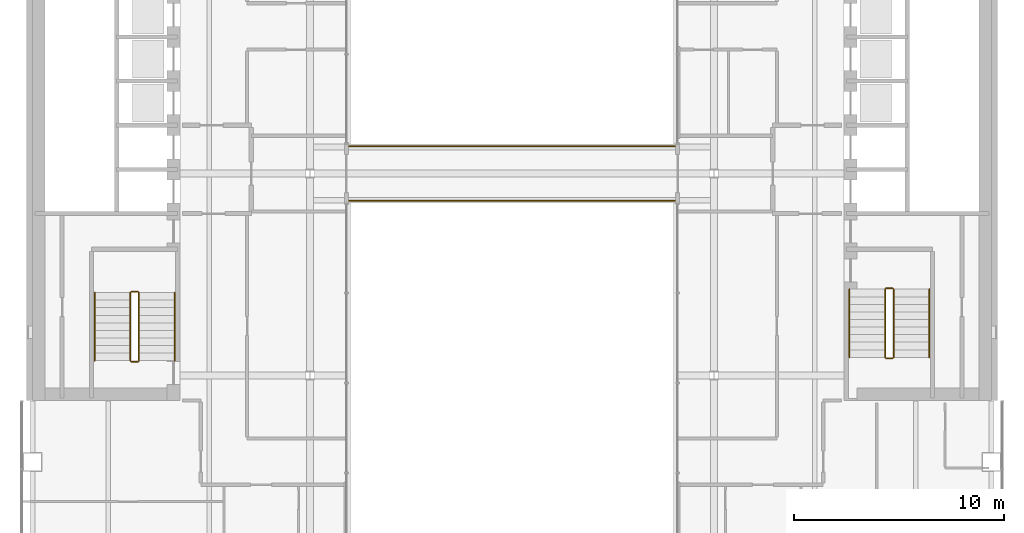
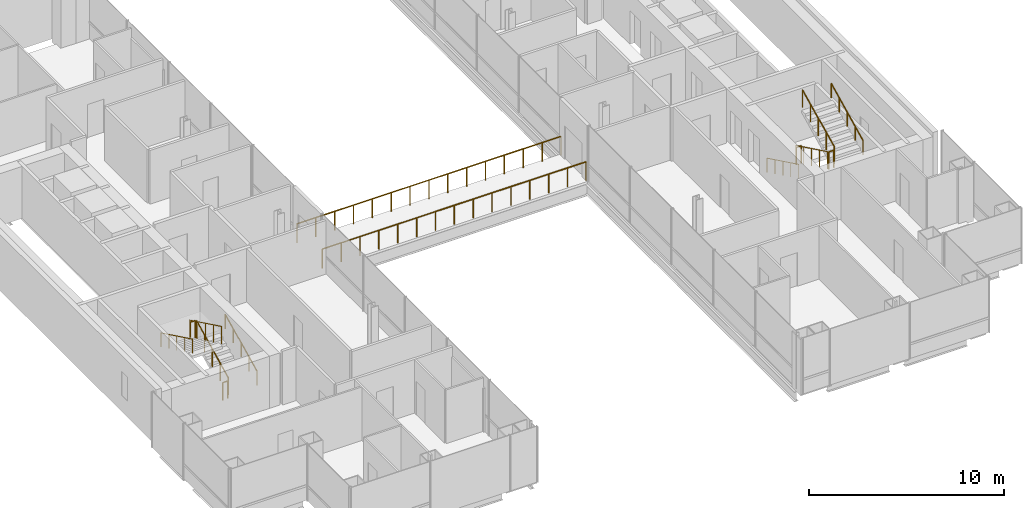
# One storey, part 15 of 16: 14 railings.
"""IFC4 building model written with IfcOpenShell, lengths in metres."""

from ifc_helpers import new_model, si_unit, direction, frame, origin, origin_2d, place, context, subcontext, project, spatial, circle, extrude, material, type_object, element, save


model = new_model("IFC4")

# Units and contexts
model_context = context("Model", 3, precision=1e-05, world=origin(), true_north=direction((0.0, 1.0)))
body_context = subcontext(model_context, "Body", "Model", "MODEL_VIEW")
ifc_project = project(units=[si_unit("LENGTHUNIT", "METRE"), si_unit("AREAUNIT", "SQUARE_METRE"), si_unit("VOLUMEUNIT", "CUBIC_METRE"), si_unit("PLANEANGLEUNIT", "RADIAN"), si_unit("MASSUNIT", "GRAM", prefix="KILO")], contexts=[model_context])

# Site, building, storey
site_placement = place(None, origin())
site = spatial("IfcSite", under=ifc_project, at=site_placement, CompositionType="ELEMENT")
building_placement = place(site_placement, origin())
building = spatial("IfcBuilding", under=site, at=building_placement, Name="Cobrizo Arcos Hotel Tower", CompositionType="ELEMENT")
storey_placement = place(building_placement, frame((0.0, 0.0, 127.5)))
storey = spatial("IfcBuildingStorey", under=building, at=storey_placement, Name="L32", CompositionType="ELEMENT", Elevation=127.5)

# Railings
ifc_material = material(Name="Stainless steel railing", Category="steel")
railing_type_1 = type_object("IfcRailingType", Name="Sky bridge guard 1200", PredefinedType="GUARDRAIL", material=ifc_material)
railing_1_placement = place(storey_placement, frame((-7.800048828125, 1.300048828125, 0.0)))
element("IfcRailing", 1, at=railing_1_placement, inside=storey, type_object=railing_type_1, Name="Sky bridge north guard", PredefinedType="GUARDRAIL", context=body_context, shape_type="SweptSolid", body=[
    extrude(circle(Radius=0.02392578125, at=origin_2d()), frame((0.0, 0.0, 1.17578125), z_axis=(1.0, 0.0, 0.0), x_axis=(0.0, 1.0, 0.0)), (0.0, 0.0, 1.0), 15.60009765625),
    extrude(circle(Radius=0.02099609375, at=origin_2d()), origin(), (0.0, 0.0, 1.0), 1.15185546875),
    extrude(circle(Radius=0.02099609375, at=origin_2d()), frame((1.1142578125, 0.0, 0.0)), (0.0, 0.0, 1.0), 1.15185546875),
    extrude(circle(Radius=0.02099609375, at=origin_2d()), frame((2.228515625, 0.0, 0.0)), (0.0, 0.0, 1.0), 1.15185546875),
    extrude(circle(Radius=0.02099609375, at=origin_2d()), frame((3.3427734375, 0.0, 0.0)), (0.0, 0.0, 1.0), 1.15185546875),
    extrude(circle(Radius=0.02099609375, at=origin_2d()), frame((4.457275390625, 0.0, 0.0)), (0.0, 0.0, 1.0), 1.15185546875),
    extrude(circle(Radius=0.02099609375, at=origin_2d()), frame((5.571533203125, 0.0, 0.0)), (0.0, 0.0, 1.0), 1.15185546875),
    extrude(circle(Radius=0.02099609375, at=origin_2d()), frame((6.685791015625, 0.0, 0.0)), (0.0, 0.0, 1.0), 1.15185546875),
    extrude(circle(Radius=0.02099609375, at=origin_2d()), frame((7.800048828125, 0.0, 0.0)), (0.0, 0.0, 1.0), 1.15185546875),
    extrude(circle(Radius=0.02099609375, at=origin_2d()), frame((8.914306640625, 0.0, 0.0)), (0.0, 0.0, 1.0), 1.15185546875),
    extrude(circle(Radius=0.02099609375, at=origin_2d()), frame((10.028564453125, 0.0, 0.0)), (0.0, 0.0, 1.0), 1.15185546875),
    extrude(circle(Radius=0.02099609375, at=origin_2d()), frame((11.142822265625, 0.0, 0.0)), (0.0, 0.0, 1.0), 1.15185546875),
    extrude(circle(Radius=0.02099609375, at=origin_2d()), frame((12.25732421875, 0.0, 0.0)), (0.0, 0.0, 1.0), 1.15185546875),
    extrude(circle(Radius=0.02099609375, at=origin_2d()), frame((13.37158203125, 0.0, 0.0)), (0.0, 0.0, 1.0), 1.15185546875),
    extrude(circle(Radius=0.02099609375, at=origin_2d()), frame((14.48583984375, 0.0, 0.0)), (0.0, 0.0, 1.0), 1.15185546875),
    extrude(circle(Radius=0.02099609375, at=origin_2d()), frame((15.60009765625, 0.0, 0.0)), (0.0, 0.0, 1.0), 1.15185546875),
])
railing_2_placement = place(storey_placement, frame((-7.800048828125, -1.300048828125, 0.0)))
element("IfcRailing", 2, at=railing_2_placement, inside=storey, type_object=railing_type_1, Name="Sky bridge south guard", PredefinedType="GUARDRAIL", context=body_context, shape_type="SweptSolid", body=[
    extrude(circle(Radius=0.02392578125, at=origin_2d()), frame((0.0, 0.0, 1.17578125), z_axis=(1.0, 0.0, 0.0), x_axis=(0.0, 1.0, 0.0)), (0.0, 0.0, 1.0), 15.60009765625),
    extrude(circle(Radius=0.02099609375, at=origin_2d()), origin(), (0.0, 0.0, 1.0), 1.15185546875),
    extrude(circle(Radius=0.02099609375, at=origin_2d()), frame((1.1142578125, 0.0, 0.0)), (0.0, 0.0, 1.0), 1.15185546875),
    extrude(circle(Radius=0.02099609375, at=origin_2d()), frame((2.228515625, 0.0, 0.0)), (0.0, 0.0, 1.0), 1.15185546875),
    extrude(circle(Radius=0.02099609375, at=origin_2d()), frame((3.3427734375, 0.0, 0.0)), (0.0, 0.0, 1.0), 1.15185546875),
    extrude(circle(Radius=0.02099609375, at=origin_2d()), frame((4.457275390625, 0.0, 0.0)), (0.0, 0.0, 1.0), 1.15185546875),
    extrude(circle(Radius=0.02099609375, at=origin_2d()), frame((5.571533203125, 0.0, 0.0)), (0.0, 0.0, 1.0), 1.15185546875),
    extrude(circle(Radius=0.02099609375, at=origin_2d()), frame((6.685791015625, 0.0, 0.0)), (0.0, 0.0, 1.0), 1.15185546875),
    extrude(circle(Radius=0.02099609375, at=origin_2d()), frame((7.800048828125, 0.0, 0.0)), (0.0, 0.0, 1.0), 1.15185546875),
    extrude(circle(Radius=0.02099609375, at=origin_2d()), frame((8.914306640625, 0.0, 0.0)), (0.0, 0.0, 1.0), 1.15185546875),
    extrude(circle(Radius=0.02099609375, at=origin_2d()), frame((10.028564453125, 0.0, 0.0)), (0.0, 0.0, 1.0), 1.15185546875),
    extrude(circle(Radius=0.02099609375, at=origin_2d()), frame((11.142822265625, 0.0, 0.0)), (0.0, 0.0, 1.0), 1.15185546875),
    extrude(circle(Radius=0.02099609375, at=origin_2d()), frame((12.25732421875, 0.0, 0.0)), (0.0, 0.0, 1.0), 1.15185546875),
    extrude(circle(Radius=0.02099609375, at=origin_2d()), frame((13.37158203125, 0.0, 0.0)), (0.0, 0.0, 1.0), 1.15185546875),
    extrude(circle(Radius=0.02099609375, at=origin_2d()), frame((14.48583984375, 0.0, 0.0)), (0.0, 0.0, 1.0), 1.15185546875),
    extrude(circle(Radius=0.02099609375, at=origin_2d()), frame((15.60009765625, 0.0, 0.0)), (0.0, 0.0, 1.0), 1.15185546875),
])
railing_type_2 = type_object("IfcRailingType", Name="Stair guard 1100", PredefinedType="GUARDRAIL", material=ifc_material)
railing_3_placement = place(storey_placement, frame((-17.75, -8.89990234375, 0.175048828125)))
element("IfcRailing", 3, at=railing_3_placement, inside=storey, type_object=railing_type_2, Name="L32 ST-W stair guard 1", PredefinedType="GUARDRAIL", context=body_context, shape_type="SweptSolid", body=[
    extrude(circle(Radius=0.02392578125, at=origin_2d()), frame((0.0, 0.0, 1.076171875), z_axis=(0.0, 0.899372665325, 0.437182809435), x_axis=(-1.0, 0.0, 0.0)), (0.0, 0.0, 1.0), 3.6025390625),
    extrude(circle(Radius=0.02099609375, at=origin_2d()), origin(), (0.0, 0.0, 1.0), 1.052001953125),
    extrude(circle(Radius=0.02099609375, at=origin_2d()), frame((0.0, 0.81005859375, 0.393798828125)), (0.0, 0.0, 1.0), 1.052001953125),
    extrude(circle(Radius=0.02099609375, at=origin_2d()), frame((0.0, 1.6201171875, 0.78759765625)), (0.0, 0.0, 1.0), 1.052001953125),
    extrude(circle(Radius=0.02099609375, at=origin_2d()), frame((0.0, 2.429931640625, 1.18115234375)), (0.0, 0.0, 1.0), 1.052001953125),
    extrude(circle(Radius=0.02099609375, at=origin_2d()), frame((0.0, 3.239990234375, 1.574951171875)), (0.0, 0.0, 1.0), 1.052001953125),
])
railing_4_placement = place(storey_placement, frame((-17.800048828125, -5.610107421875, 1.75)))
element("IfcRailing", 4, at=railing_4_placement, inside=storey, type_object=railing_type_2, Name="L32 ST-W stair guard 2", PredefinedType="GUARDRAIL", context=body_context, shape_type="SweptSolid", body=[
    extrude(circle(Radius=0.02392578125, at=origin_2d()), frame((0.0, 0.0, 1.076171875), z_axis=(-1.0, 0.0, 0.0), x_axis=(0.0, -1.0, 0.0)), (0.0, 0.0, 1.0), 0.300048828125),
    extrude(circle(Radius=0.02099609375, at=origin_2d()), origin(), (0.0, 0.0, 1.0), 1.052001953125),
    extrude(circle(Radius=0.02099609375, at=origin_2d()), frame((-0.300048828125, 0.0, 0.0)), (0.0, 0.0, 1.0), 1.052001953125),
])
railing_5_placement = place(storey_placement, frame((-18.14990234375, -5.659912109375, 1.925048828125)))
element("IfcRailing", 5, at=railing_5_placement, inside=storey, type_object=railing_type_2, Name="L32 ST-W stair guard 3", PredefinedType="GUARDRAIL", context=body_context, shape_type="SweptSolid", body=[
    extrude(circle(Radius=0.02392578125, at=origin_2d()), frame((0.0, 0.0, 1.076171875), z_axis=(0.0, -0.899372665325, 0.437182809435), x_axis=(1.0, 0.0, 0.0)), (0.0, 0.0, 1.0), 3.6025390625),
    extrude(circle(Radius=0.02099609375, at=origin_2d()), origin(), (0.0, 0.0, 1.0), 1.052001953125),
    extrude(circle(Radius=0.02099609375, at=origin_2d()), frame((0.0, -0.81005859375, 0.393798828125)), (0.0, 0.0, 1.0), 1.052001953125),
    extrude(circle(Radius=0.02099609375, at=origin_2d()), frame((0.0, -1.6201171875, 0.78759765625)), (0.0, 0.0, 1.0), 1.052001953125),
    extrude(circle(Radius=0.02099609375, at=origin_2d()), frame((0.0, -2.429931640625, 1.18115234375)), (0.0, 0.0, 1.0), 1.052001953125),
    extrude(circle(Radius=0.02099609375, at=origin_2d()), frame((0.0, -3.239990234375, 1.574951171875)), (0.0, 0.0, 1.0), 1.052001953125),
])
railing_6_placement = place(storey_placement, frame((-17.800048828125, -8.949951171875, 0.0)))
element("IfcRailing", 6, at=railing_6_placement, inside=storey, type_object=railing_type_2, Name="L32 ST-W stair guard 4", PredefinedType="GUARDRAIL", context=body_context, shape_type="SweptSolid", body=[
    extrude(circle(Radius=0.02392578125, at=origin_2d()), frame((0.0, 0.0, 1.076171875), z_axis=(-1.0, 0.0, 0.0), x_axis=(0.0, -1.0, 0.0)), (0.0, 0.0, 1.0), 0.300048828125),
    extrude(circle(Radius=0.02099609375, at=origin_2d()), origin(), (0.0, 0.0, 1.0), 1.052001953125),
    extrude(circle(Radius=0.02099609375, at=origin_2d()), frame((-0.300048828125, 0.0, 0.0)), (0.0, 0.0, 1.0), 1.052001953125),
])
railing_7_placement = place(storey_placement, frame((17.75, -5.5, 0.175048828125)))
element("IfcRailing", 7, at=railing_7_placement, inside=storey, type_object=railing_type_2, Name="L32 ST-E stair guard 1", PredefinedType="GUARDRAIL", context=body_context, shape_type="SweptSolid", body=[
    extrude(circle(Radius=0.02392578125, at=origin_2d()), frame((0.0, 0.0, 1.076171875), z_axis=(0.0, -0.899372665325, 0.437182809435), x_axis=(1.0, 0.0, 0.0)), (0.0, 0.0, 1.0), 3.6025390625),
    extrude(circle(Radius=0.02099609375, at=origin_2d()), origin(), (0.0, 0.0, 1.0), 1.052001953125),
    extrude(circle(Radius=0.02099609375, at=origin_2d()), frame((0.0, -0.81005859375, 0.393798828125)), (0.0, 0.0, 1.0), 1.052001953125),
    extrude(circle(Radius=0.02099609375, at=origin_2d()), frame((0.0, -1.6201171875, 0.78759765625)), (0.0, 0.0, 1.0), 1.052001953125),
    extrude(circle(Radius=0.02099609375, at=origin_2d()), frame((0.0, -2.429931640625, 1.18115234375)), (0.0, 0.0, 1.0), 1.052001953125),
    extrude(circle(Radius=0.02099609375, at=origin_2d()), frame((0.0, -3.239990234375, 1.574951171875)), (0.0, 0.0, 1.0), 1.052001953125),
])
railing_8_placement = place(storey_placement, frame((17.800048828125, -8.7900390625, 1.75)))
element("IfcRailing", 8, at=railing_8_placement, inside=storey, type_object=railing_type_2, Name="L32 ST-E stair guard 2", PredefinedType="GUARDRAIL", context=body_context, shape_type="SweptSolid", body=[
    extrude(circle(Radius=0.02392578125, at=origin_2d()), frame((0.0, 0.0, 1.076171875), z_axis=(1.0, 0.0, 0.0), x_axis=(0.0, 1.0, 0.0)), (0.0, 0.0, 1.0), 0.300048828125),
    extrude(circle(Radius=0.02099609375, at=origin_2d()), origin(), (0.0, 0.0, 1.0), 1.052001953125),
    extrude(circle(Radius=0.02099609375, at=origin_2d()), frame((0.300048828125, 0.0, 0.0)), (0.0, 0.0, 1.0), 1.052001953125),
])
railing_9_placement = place(storey_placement, frame((18.14990234375, -8.739990234375, 1.925048828125)))
element("IfcRailing", 9, at=railing_9_placement, inside=storey, type_object=railing_type_2, Name="L32 ST-E stair guard 3", PredefinedType="GUARDRAIL", context=body_context, shape_type="SweptSolid", body=[
    extrude(circle(Radius=0.02392578125, at=origin_2d()), frame((0.0, 0.0, 1.076171875), z_axis=(0.0, 0.899372665325, 0.437182809435), x_axis=(-1.0, 0.0, 0.0)), (0.0, 0.0, 1.0), 3.6025390625),
    extrude(circle(Radius=0.02099609375, at=origin_2d()), origin(), (0.0, 0.0, 1.0), 1.052001953125),
    extrude(circle(Radius=0.02099609375, at=origin_2d()), frame((0.0, 0.81005859375, 0.393798828125)), (0.0, 0.0, 1.0), 1.052001953125),
    extrude(circle(Radius=0.02099609375, at=origin_2d()), frame((0.0, 1.6201171875, 0.78759765625)), (0.0, 0.0, 1.0), 1.052001953125),
    extrude(circle(Radius=0.02099609375, at=origin_2d()), frame((0.0, 2.429931640625, 1.18115234375)), (0.0, 0.0, 1.0), 1.052001953125),
    extrude(circle(Radius=0.02099609375, at=origin_2d()), frame((0.0, 3.239990234375, 1.574951171875)), (0.0, 0.0, 1.0), 1.052001953125),
])
railing_10_placement = place(storey_placement, frame((17.800048828125, -5.449951171875, 0.0)))
element("IfcRailing", 10, at=railing_10_placement, inside=storey, type_object=railing_type_2, Name="L32 ST-E stair guard 4", PredefinedType="GUARDRAIL", context=body_context, shape_type="SweptSolid", body=[
    extrude(circle(Radius=0.02392578125, at=origin_2d()), frame((0.0, 0.0, 1.076171875), z_axis=(1.0, 0.0, 0.0), x_axis=(0.0, 1.0, 0.0)), (0.0, 0.0, 1.0), 0.300048828125),
    extrude(circle(Radius=0.02099609375, at=origin_2d()), origin(), (0.0, 0.0, 1.0), 1.052001953125),
    extrude(circle(Radius=0.02099609375, at=origin_2d()), frame((0.300048828125, 0.0, 0.0)), (0.0, 0.0, 1.0), 1.052001953125),
])
railing_type_3 = type_object("IfcRailingType", Name="Stair handrail", PredefinedType="HANDRAIL", material=ifc_material)
railing_11_placement = place(storey_placement, frame((-16.050048828125, -8.89990234375, 0.175048828125)))
element("IfcRailing", 11, at=railing_11_placement, inside=storey, type_object=railing_type_3, Name="L32 ST-W stair handrail 1", PredefinedType="HANDRAIL", context=body_context, shape_type="SweptSolid", body=[
    extrude(circle(Radius=0.02392578125, at=origin_2d()), frame((0.0, 0.0, 0.8759765625), z_axis=(0.0, 0.899372665325, 0.437182809435), x_axis=(-1.0, 0.0, 0.0)), (0.0, 0.0, 1.0), 3.6025390625),
    extrude(circle(Radius=0.02099609375, at=origin_2d()), origin(), (0.0, 0.0, 1.0), 0.851806640625),
    extrude(circle(Radius=0.02099609375, at=origin_2d()), frame((0.0, 0.81005859375, 0.393798828125)), (0.0, 0.0, 1.0), 0.851806640625),
    extrude(circle(Radius=0.02099609375, at=origin_2d()), frame((0.0, 1.6201171875, 0.78759765625)), (0.0, 0.0, 1.0), 0.851806640625),
    extrude(circle(Radius=0.02099609375, at=origin_2d()), frame((0.0, 2.429931640625, 1.18115234375)), (0.0, 0.0, 1.0), 0.851806640625),
    extrude(circle(Radius=0.02099609375, at=origin_2d()), frame((0.0, 3.239990234375, 1.574951171875)), (0.0, 0.0, 1.0), 0.851806640625),
])
for number, where, name in (
    (12, (-19.85009765625, -5.659912109375, 1.925048828125), "L32 ST-W stair handrail 2"),
    (13, (16.050048828125, -5.5, 0.175048828125), "L32 ST-E stair handrail 1"),
):
    element("IfcRailing", number, at=place(storey_placement, frame(where)), inside=storey, type_object=railing_type_3, Name=name, PredefinedType="HANDRAIL", context=body_context, shape_type="SweptSolid", body=[
        extrude(circle(Radius=0.02392578125, at=origin_2d()), frame((0.0, 0.0, 0.8759765625), z_axis=(0.0, -0.899372665325, 0.437182809435), x_axis=(1.0, 0.0, 0.0)), (0.0, 0.0, 1.0), 3.6025390625),
        extrude(circle(Radius=0.02099609375, at=origin_2d()), origin(), (0.0, 0.0, 1.0), 0.851806640625),
        extrude(circle(Radius=0.02099609375, at=origin_2d()), frame((0.0, -0.81005859375, 0.393798828125)), (0.0, 0.0, 1.0), 0.851806640625),
        extrude(circle(Radius=0.02099609375, at=origin_2d()), frame((0.0, -1.6201171875, 0.78759765625)), (0.0, 0.0, 1.0), 0.851806640625),
        extrude(circle(Radius=0.02099609375, at=origin_2d()), frame((0.0, -2.429931640625, 1.18115234375)), (0.0, 0.0, 1.0), 0.851806640625),
        extrude(circle(Radius=0.02099609375, at=origin_2d()), frame((0.0, -3.239990234375, 1.574951171875)), (0.0, 0.0, 1.0), 0.851806640625),
    ])
railing_12_placement = place(storey_placement, frame((19.85009765625, -8.739990234375, 1.925048828125)))
element("IfcRailing", 14, at=railing_12_placement, inside=storey, type_object=railing_type_3, Name="L32 ST-E stair handrail 2", PredefinedType="HANDRAIL", context=body_context, shape_type="SweptSolid", body=[
    extrude(circle(Radius=0.02392578125, at=origin_2d()), frame((0.0, 0.0, 0.8759765625), z_axis=(0.0, 0.899372665325, 0.437182809435), x_axis=(-1.0, 0.0, 0.0)), (0.0, 0.0, 1.0), 3.6025390625),
    extrude(circle(Radius=0.02099609375, at=origin_2d()), origin(), (0.0, 0.0, 1.0), 0.851806640625),
    extrude(circle(Radius=0.02099609375, at=origin_2d()), frame((0.0, 0.81005859375, 0.393798828125)), (0.0, 0.0, 1.0), 0.851806640625),
    extrude(circle(Radius=0.02099609375, at=origin_2d()), frame((0.0, 1.6201171875, 0.78759765625)), (0.0, 0.0, 1.0), 0.851806640625),
    extrude(circle(Radius=0.02099609375, at=origin_2d()), frame((0.0, 2.429931640625, 1.18115234375)), (0.0, 0.0, 1.0), 0.851806640625),
    extrude(circle(Radius=0.02099609375, at=origin_2d()), frame((0.0, 3.239990234375, 1.574951171875)), (0.0, 0.0, 1.0), 0.851806640625),
])

save(model, "model.ifc")
